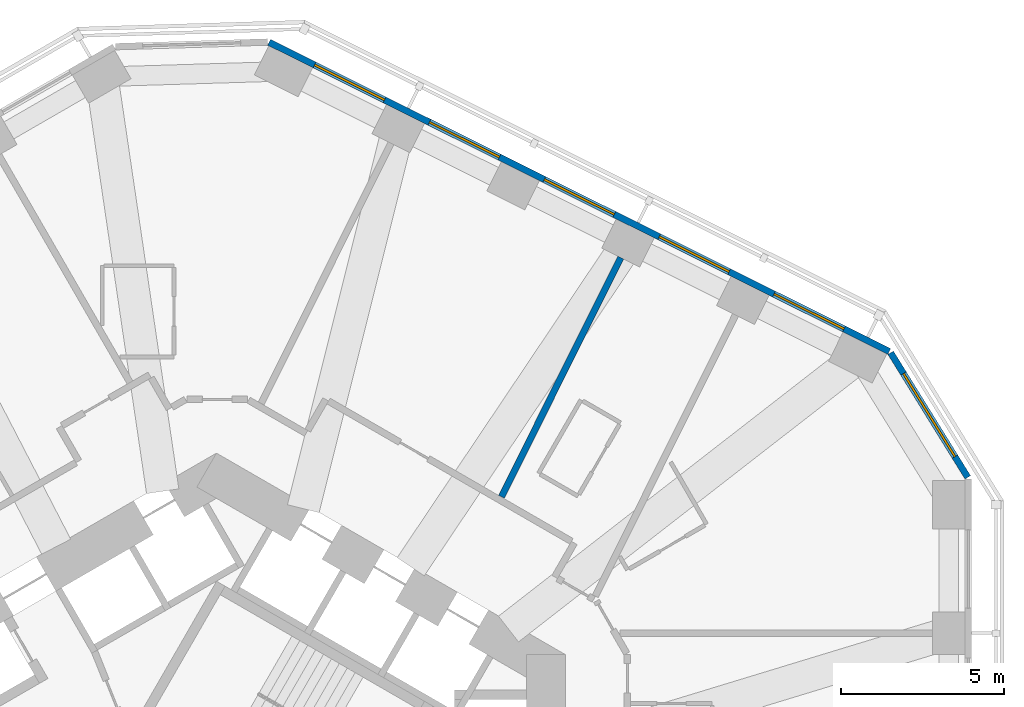
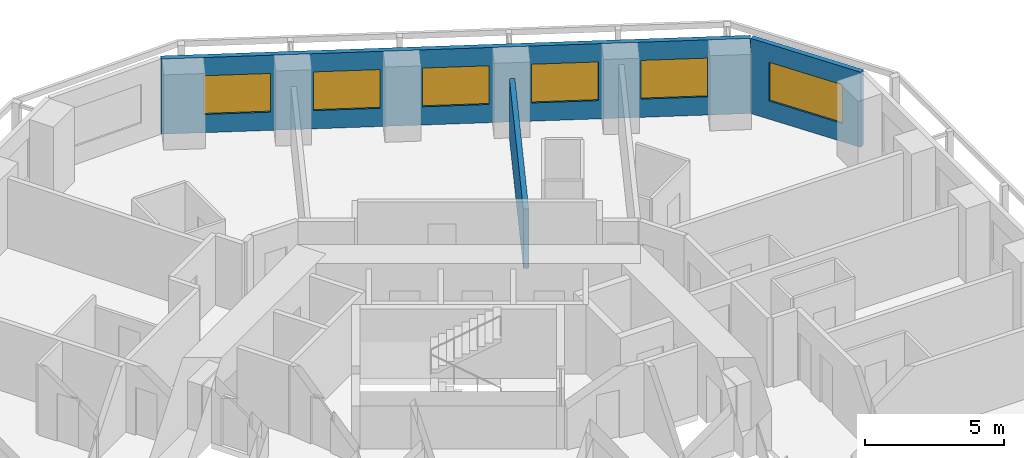
# One storey, part 9 of 12: 6 windows, 3 walls, 6 openings.
"""IFC4 building model written with IfcOpenShell, lengths in metres."""

import ifcopenshell
import ifcopenshell.guid

model = None  # the IFC model being written
_history = None  # IfcOwnerHistory: only IFC2X3 demands one
_inside = {}  # id of a spatial element -> (the spatial element, [elements in it])
_under = {}  # id of a project, library or spatial element -> (it, [spatial elements below it])
_declared = {}  # id of a project -> (the project, [libraries it declares])
_typed = {}  # id of a type object -> (the type object, [elements of that type])
_made_of = {}  # id of a material, layer set ... -> (it, [elements and type objects made of it])


def new_model(schema):
    """Start an empty IFC model of exactly this schema.

    Asked for "IFC4X3", IfcOpenShell would pick the latest addendum, in which some entities
    have other attributes; the version numbers below select the first issue.
    IFC2X3 requires an IfcOwnerHistory on every rooted entity: one is made here for all.
    """
    global model, _history
    if schema == "IFC4X3":
        model = ifcopenshell.file(schema_version=(4, 3, 0, 0))
    else:
        model = ifcopenshell.file(schema=schema)
    _inside.clear()
    _under.clear()
    _declared.clear()
    _typed.clear()
    _made_of.clear()
    _history = None
    if model.schema == "IFC2X3":
        org = make("IfcOrganization", Name="unknown")
        user = make(
            "IfcPersonAndOrganization",
            ThePerson=make("IfcPerson", FamilyName="unknown"),
            TheOrganization=org,
        )
        app = make(
            "IfcApplication",
            ApplicationDeveloper=org,
            Version="unknown",
            ApplicationFullName="unknown",
            ApplicationIdentifier="unknown",
        )
        _history = make(
            "IfcOwnerHistory",
            OwningUser=user,
            OwningApplication=app,
            ChangeAction="ADDED",
            CreationDate=0,
        )
    return model


def make(cls, **values):
    """One entity of the class cls with the attributes given. An attribute that is None is left unset."""
    return model.create_entity(
        cls, **{name: value for name, value in values.items() if value is not None}
    )


def rooted(cls, **values):
    """An entity with a GlobalId (a new one), such as an element, a storey or a relation."""
    return make(cls, GlobalId=ifcopenshell.guid.new(), OwnerHistory=_history, **values)


def si_unit(unit_type, name, prefix=None):
    """IfcSIUnit, for example si_unit("LENGTHUNIT", "METRE", prefix="MILLI")."""
    return make("IfcSIUnit", UnitType=unit_type, Prefix=prefix, Name=name)


def assignment(units):
    """IfcUnitAssignment: the units of a project."""
    return None if units is None else make("IfcUnitAssignment", Units=units)


def point(xyz):
    """IfcCartesianPoint."""
    return None if xyz is None else make("IfcCartesianPoint", Coordinates=xyz)


def direction(xyz):
    """IfcDirection."""
    return None if xyz is None else make("IfcDirection", DirectionRatios=xyz)


def frame(location, z_axis=None, x_axis=None):
    """IfcAxis2Placement3D, a coordinate frame: its origin and axes. An axis left out is left unset."""
    return make(
        "IfcAxis2Placement3D",
        Location=point(location),
        Axis=direction(z_axis),
        RefDirection=direction(x_axis),
    )


def frame_2d(location, x_axis=None):
    """IfcAxis2Placement2D, a coordinate frame in the plane: its origin and x axis."""
    return make(
        "IfcAxis2Placement2D", Location=point(location), RefDirection=direction(x_axis)
    )


def origin():
    """The frame at (0, 0, 0) with its axes left unset."""
    return frame((0.0, 0.0, 0.0))


def place(relative_to, where):
    """IfcLocalPlacement: puts the frame where relative to a parent placement (None: the world)."""
    return make(
        "IfcLocalPlacement", PlacementRelTo=relative_to, RelativePlacement=where
    )


def context(
    kind, dimensions, precision=None, world=None, true_north=None, identifier=None
):
    """IfcGeometricRepresentationContext, for example the 3D "Model" context."""
    return make(
        "IfcGeometricRepresentationContext",
        ContextIdentifier=identifier,
        ContextType=kind,
        CoordinateSpaceDimension=dimensions,
        Precision=precision,
        WorldCoordinateSystem=world,
        TrueNorth=true_north,
    )


def subcontext(parent, identifier, kind, view, scale=None):
    """IfcGeometricRepresentationSubContext, for example "Body" below "Model"."""
    return make(
        "IfcGeometricRepresentationSubContext",
        ContextIdentifier=identifier,
        ContextType=kind,
        ParentContext=parent,
        TargetScale=scale,
        TargetView=view,
    )


def project(units=None, contexts=None):
    """IfcProject with its units and contexts."""
    return rooted(
        "IfcProject",
        Name="project",
        RepresentationContexts=contexts,
        UnitsInContext=assignment(units),
    )


def spatial(cls, under=None, at=None, **own):
    """A site, building, storey or space (cls), placed at a placement, below another one or the project."""
    s = rooted(cls, ObjectPlacement=at, **own)
    if under is not None:
        _under.setdefault(under.id(), (under, []))[1].append(s)
    return s


def profile(cls, at=None, kind="AREA", **sizes):
    """A parametric profile (cls). Its sizes go by their IFC names, for example OverallWidth=200.0."""
    return make(cls, ProfileType=kind, Position=at, **sizes)


def rectangle(**sizes):
    """IfcRectangleProfileDef."""
    return profile("IfcRectangleProfileDef", **sizes)


def extrude(swept, where, along, depth):
    """IfcExtrudedAreaSolid: the profile swept, set in the frame where, extruded along a direction by depth."""
    return make(
        "IfcExtrudedAreaSolid",
        SweptArea=swept,
        Position=where,
        ExtrudedDirection=direction(along),
        Depth=depth,
    )


def shape(context_of_items, identifier, shape_type, items):
    """IfcShapeRepresentation: the items that make up one representation, for example the "Body"."""
    return make(
        "IfcShapeRepresentation",
        ContextOfItems=context_of_items,
        RepresentationIdentifier=identifier,
        RepresentationType=shape_type,
        Items=items,
    )


def material(Name=None, Category=None):
    """IfcMaterial."""
    return make("IfcMaterial", Name=Name, Category=Category)


def layer(
    of_material, thickness, ventilated=None, Name=None, Category=None, Priority=None
):
    """IfcMaterialLayer: one layer of a wall or slab, of a material (None: an air gap)."""
    return make(
        "IfcMaterialLayer",
        Material=of_material,
        LayerThickness=thickness,
        IsVentilated=ventilated,
        Name=Name,
        Category=Category,
        Priority=Priority,
    )


def layer_set(layers, Name=None):
    """IfcMaterialLayerSet."""
    return make("IfcMaterialLayerSet", MaterialLayers=layers, LayerSetName=Name)


def made_of(thing, what):
    """Note that an element or type object is made of a material, layer set ...; save() writes the relation."""
    if what is not None:
        _made_of.setdefault(what.id(), (what, []))[1].append(thing)
    return thing


def type_object(cls, material=None, **own):
    """A type object (cls), such as IfcWallType, which elements share."""
    return made_of(rooted(cls, **own), material)


def element(
    cls,
    number,
    at=None,
    inside=None,
    cuts=None,
    type_object=None,
    material=None,
    context=None,
    identifier="Body",
    shape_type=None,
    held_by="IfcProductDefinitionShape",
    body=None,
    shapes=None,
    **own,
):
    """One element of the class cls, such as IfcWall. Its Tag is "e" and its number.

    at: its placement. inside: the storey or other place that contains it. cuts: it is an
    opening in that element (IfcRelVoidsElement). A single representation is given by context,
    identifier, shape_type and body (its items); several are given by shapes. held_by: the class
    of the entity that holds the representations. save() writes the other relations.
    """
    e = rooted(cls, Tag="e%d" % number, ObjectPlacement=at, **own)
    if body is not None:
        shapes = [shape(context, identifier, shape_type, body)]
    if shapes is not None:
        e.Representation = make(held_by, Representations=shapes)
    if inside is not None:
        _inside.setdefault(inside.id(), (inside, []))[1].append(e)
    if cuts is not None:
        rooted(
            "IfcRelVoidsElement", RelatingBuildingElement=cuts, RelatedOpeningElement=e
        )
    if type_object is not None:
        _typed.setdefault(type_object.id(), (type_object, []))[1].append(e)
    return made_of(e, material)


def fill(opening, filler):
    """IfcRelFillsElement: the door or window that sits in an opening."""
    return rooted(
        "IfcRelFillsElement",
        RelatingOpeningElement=opening,
        RelatedBuildingElement=filler,
    )


def aggregate(whole, parts):
    """IfcRelAggregates: a whole, such as a stair, and the parts it consists of."""
    return rooted("IfcRelAggregates", RelatingObject=whole, RelatedObjects=parts)


def save(model, path):
    """Write the relations noted so far, then the file.

    IfcRelAggregates (storeys below a building ...), IfcRelContainedInSpatialStructure (elements
    in a storey), IfcRelDefinesByType, IfcRelAssociatesMaterial and IfcRelDeclares: one each for
    every whole, place, type object, material and project.
    """
    for whole, parts in _under.values():
        aggregate(whole, parts)
    for where, things in _inside.values():
        rooted(
            "IfcRelContainedInSpatialStructure",
            RelatedElements=things,
            RelatingStructure=where,
        )
    for kind, things in _typed.values():
        rooted("IfcRelDefinesByType", RelatedObjects=things, RelatingType=kind)
    for what, things in _made_of.values():
        rooted("IfcRelAssociatesMaterial", RelatedObjects=things, RelatingMaterial=what)
    for by, libraries in _declared.values():
        rooted("IfcRelDeclares", RelatingContext=by, RelatedDefinitions=libraries)
    model.write(path)


model = new_model("IFC4")

# Units and contexts
model_context = context("Model", 3, precision=1e-05, world=origin(), true_north=direction((0.0, 1.0)))
body_context = subcontext(model_context, "Body", "Model", "MODEL_VIEW")
ifc_project = project(units=[si_unit("LENGTHUNIT", "METRE"), si_unit("AREAUNIT", "SQUARE_METRE"), si_unit("VOLUMEUNIT", "CUBIC_METRE"), si_unit("PLANEANGLEUNIT", "RADIAN"), si_unit("MASSUNIT", "GRAM", prefix="KILO")], contexts=[model_context])

# Site, building, storey
site_placement = place(None, origin())
site = spatial("IfcSite", under=ifc_project, at=site_placement, CompositionType="ELEMENT")
building_placement = place(site_placement, origin())
building = spatial("IfcBuilding", under=site, at=building_placement, Name="Vanh Sen Convention Tower", CompositionType="ELEMENT")
storey_placement = place(building_placement, frame((0.0, 0.0, 50.60009765625)))
storey = spatial("IfcBuildingStorey", under=building, at=storey_placement, Name="L09", CompositionType="ELEMENT", Elevation=50.60009765625)

# Wall, opening, window
ifc_material_1 = material(Name="Insulated lightweight infill wall")
ifc_layer_1 = layer(ifc_material_1, 0.199951171875)
ifc_layer_set_1 = layer_set([ifc_layer_1], Name="Insulated lightweight infill wall")
wall_type_1 = type_object("IfcWallType", Name="External wall 200", PredefinedType="STANDARD", material=ifc_layer_set_1)
wall_1_placement = place(storey_placement, frame((23.034912109375, 11.612060546875, 0.0), z_axis=(0.0, 0.0, 1.0), x_axis=(-0.526160091227, 0.850385535155, 0.0)))
wall_1 = element("IfcWall", 1, at=wall_1_placement, inside=storey, type_object=wall_type_1, Name="External wall CH1 L09", PredefinedType="STANDARD", context=body_context, shape_type="SweptSolid", body=[
    extrude(rectangle(XDim=4.493896484375, YDim=0.199951171875, at=frame_2d((2.2470703125, 0.0))), origin(), (0.0, 0.0, 1.0), 3.2998046875),
])
opening_1_placement = place(wall_1_placement, frame((0.746826171875, 0.0, 0.800048828125)))
opening_1 = element("IfcOpeningElement", 2, at=opening_1_placement, cuts=wall_1, Name="Opening WH2-CH11", PredefinedType="OPENING", context=body_context, shape_type="SweptSolid", body=[
    extrude(rectangle(XDim=3.0, YDim=1.699951171875, at=frame_2d((1.5, 0.85009765625))), frame((0.0, 0.10986328125, 0.0), z_axis=(0.0, -1.0, 0.0), x_axis=(1.0, 0.0, 0.0)), (0.0, 0.0, 1.0), 0.219970703125),
])
ifc_material_2 = material(Name="Aluminium frame with clear low-emissivity glass", Category="aluminium")
window_type_1 = type_object("IfcWindowType", Name="Hotel window 3000 x 1700", PartitioningType="SINGLE_PANEL", PredefinedType="WINDOW", material=ifc_material_2)
window_1_placement = place(opening_1_placement, origin())
window_1 = element("IfcWindow", 3, at=window_1_placement, inside=storey, type_object=window_type_1, Name="Window WH2-CH11", OverallHeight=1.699951171875, OverallWidth=3.0, PartitioningType="SINGLE_PANEL", PredefinedType="WINDOW", context=body_context, shape_type="SweptSolid", body=[
    extrude(rectangle(XDim=3.0, YDim=1.699951171875, at=frame_2d((1.5, 0.85009765625))), frame((0.0, 0.030029296875, 0.0), z_axis=(0.0, -1.0, 0.0), x_axis=(1.0, 0.0, 0.0)), (0.0, 0.0, 1.0), 0.06005859375),
])
fill(opening_1, window_1)

# Wall, openings, windows
wall_2_placement = place(storey_placement, frame((20.6298828125, 15.470458984375, 0.0), z_axis=(0.0, 0.0, 1.0), x_axis=(-0.894934518609, 0.446197498203, 0.0)))
wall_2 = element("IfcWall", 4, at=wall_2_placement, inside=storey, type_object=wall_type_1, Name="External wall NE L09", PredefinedType="STANDARD", context=body_context, shape_type="SweptSolid", body=[
    extrude(rectangle(XDim=21.24609375, YDim=0.199951171875, at=frame_2d((10.623046875, 0.0))), origin(), (0.0, 0.0, 1.0), 3.2998046875),
])
opening_2_placement = place(wall_2_placement, frame((1.552978515625, 0.0, 0.800048828125)))
opening_2 = element("IfcOpeningElement", 5, at=opening_2_placement, cuts=wall_2, Name="Opening WH1-NE1", PredefinedType="OPENING", context=body_context, shape_type="SweptSolid", body=[
    extrude(rectangle(XDim=2.39990234375, YDim=1.699951171875, at=frame_2d((1.199951171875, 0.85009765625))), frame((0.0, 0.10986328125, 0.0), z_axis=(0.0, -1.0, 0.0), x_axis=(1.0, 0.0, 0.0)), (0.0, 0.0, 1.0), 0.219970703125),
])
opening_3_placement = place(wall_2_placement, frame((5.48779296875, 0.0, 0.800048828125)))
opening_3 = element("IfcOpeningElement", 6, at=opening_3_placement, cuts=wall_2, Name="Opening WH1-NE2", PredefinedType="OPENING", context=body_context, shape_type="SweptSolid", body=[
    extrude(rectangle(XDim=2.39990234375, YDim=1.699951171875, at=frame_2d((1.199951171875, 0.85009765625))), frame((0.0, 0.10986328125, 0.0), z_axis=(0.0, -1.0, 0.0), x_axis=(1.0, 0.0, 0.0)), (0.0, 0.0, 1.0), 0.219970703125),
])
opening_4_placement = place(wall_2_placement, frame((9.42236328125, 0.0, 0.800048828125)))
opening_4 = element("IfcOpeningElement", 7, at=opening_4_placement, cuts=wall_2, Name="Opening WH1-NE3", PredefinedType="OPENING", context=body_context, shape_type="SweptSolid", body=[
    extrude(rectangle(XDim=2.39990234375, YDim=1.699951171875, at=frame_2d((1.199951171875, 0.85009765625))), frame((0.0, 0.10986328125, 0.0), z_axis=(0.0, -1.0, 0.0), x_axis=(1.0, 0.0, 0.0)), (0.0, 0.0, 1.0), 0.219970703125),
])
opening_5_placement = place(wall_2_placement, frame((13.35693359375, 0.0, 0.800048828125)))
opening_5 = element("IfcOpeningElement", 8, at=opening_5_placement, cuts=wall_2, Name="Opening WH1-NE4", PredefinedType="OPENING", context=body_context, shape_type="SweptSolid", body=[
    extrude(rectangle(XDim=2.39990234375, YDim=1.699951171875, at=frame_2d((1.199951171875, 0.85009765625))), frame((0.0, 0.10986328125, 0.0), z_axis=(0.0, -1.0, 0.0), x_axis=(1.0, 0.0, 0.0)), (0.0, 0.0, 1.0), 0.219970703125),
])
opening_6_placement = place(wall_2_placement, frame((17.29150390625, 0.0, 0.800048828125)))
opening_6 = element("IfcOpeningElement", 9, at=opening_6_placement, cuts=wall_2, Name="Opening WH1-NE5", PredefinedType="OPENING", context=body_context, shape_type="SweptSolid", body=[
    extrude(rectangle(XDim=2.39990234375, YDim=1.699951171875, at=frame_2d((1.199951171875, 0.85009765625))), frame((0.0, 0.10986328125, 0.0), z_axis=(0.0, -1.0, 0.0), x_axis=(1.0, 0.0, 0.0)), (0.0, 0.0, 1.0), 0.219970703125),
])
window_type_2 = type_object("IfcWindowType", Name="Hotel window 2400 x 1700", PartitioningType="SINGLE_PANEL", PredefinedType="WINDOW", material=ifc_material_2)
window_2_placement = place(opening_2_placement, origin())
window_2 = element("IfcWindow", 10, at=window_2_placement, inside=storey, type_object=window_type_2, Name="Window WH1-NE1", OverallHeight=1.699951171875, OverallWidth=2.39990234375, PartitioningType="SINGLE_PANEL", PredefinedType="WINDOW", context=body_context, shape_type="SweptSolid", body=[
    extrude(rectangle(XDim=2.39990234375, YDim=1.699951171875, at=frame_2d((1.199951171875, 0.85009765625))), frame((0.0, 0.030029296875, 0.0), z_axis=(0.0, -1.0, 0.0), x_axis=(1.0, 0.0, 0.0)), (0.0, 0.0, 1.0), 0.06005859375),
])
fill(opening_2, window_2)
window_3_placement = place(opening_3_placement, origin())
window_3 = element("IfcWindow", 11, at=window_3_placement, inside=storey, type_object=window_type_2, Name="Window WH1-NE2", OverallHeight=1.699951171875, OverallWidth=2.39990234375, PartitioningType="SINGLE_PANEL", PredefinedType="WINDOW", context=body_context, shape_type="SweptSolid", body=[
    extrude(rectangle(XDim=2.39990234375, YDim=1.699951171875, at=frame_2d((1.199951171875, 0.85009765625))), frame((0.0, 0.030029296875, 0.0), z_axis=(0.0, -1.0, 0.0), x_axis=(1.0, 0.0, 0.0)), (0.0, 0.0, 1.0), 0.06005859375),
])
fill(opening_3, window_3)
window_4_placement = place(opening_4_placement, origin())
window_4 = element("IfcWindow", 12, at=window_4_placement, inside=storey, type_object=window_type_2, Name="Window WH1-NE3", OverallHeight=1.699951171875, OverallWidth=2.39990234375, PartitioningType="SINGLE_PANEL", PredefinedType="WINDOW", context=body_context, shape_type="SweptSolid", body=[
    extrude(rectangle(XDim=2.39990234375, YDim=1.699951171875, at=frame_2d((1.199951171875, 0.85009765625))), frame((0.0, 0.030029296875, 0.0), z_axis=(0.0, -1.0, 0.0), x_axis=(1.0, 0.0, 0.0)), (0.0, 0.0, 1.0), 0.06005859375),
])
fill(opening_4, window_4)
window_5_placement = place(opening_5_placement, origin())
window_5 = element("IfcWindow", 13, at=window_5_placement, inside=storey, type_object=window_type_2, Name="Window WH1-NE4", OverallHeight=1.699951171875, OverallWidth=2.39990234375, PartitioningType="SINGLE_PANEL", PredefinedType="WINDOW", context=body_context, shape_type="SweptSolid", body=[
    extrude(rectangle(XDim=2.39990234375, YDim=1.699951171875, at=frame_2d((1.199951171875, 0.85009765625))), frame((0.0, 0.030029296875, 0.0), z_axis=(0.0, -1.0, 0.0), x_axis=(1.0, 0.0, 0.0)), (0.0, 0.0, 1.0), 0.06005859375),
])
fill(opening_5, window_5)
window_6_placement = place(opening_6_placement, origin())
window_6 = element("IfcWindow", 14, at=window_6_placement, inside=storey, type_object=window_type_2, Name="Window WH1-NE5", OverallHeight=1.699951171875, OverallWidth=2.39990234375, PartitioningType="SINGLE_PANEL", PredefinedType="WINDOW", context=body_context, shape_type="SweptSolid", body=[
    extrude(rectangle(XDim=2.39990234375, YDim=1.699951171875, at=frame_2d((1.199951171875, 0.85009765625))), frame((0.0, 0.030029296875, 0.0), z_axis=(0.0, -1.0, 0.0), x_axis=(1.0, 0.0, 0.0)), (0.0, 0.0, 1.0), 0.06005859375),
])
fill(opening_6, window_6)

# Wall
ifc_material_3 = material(Name="Gypsum board on steel studs with mineral wool", Category="steel")
ifc_layer_2 = layer(ifc_material_3, 0.199951171875)
ifc_layer_set_2 = layer_set([ifc_layer_2], Name="Gypsum board on steel studs with mineral wool")
wall_type_2 = type_object("IfcWallType", Name="Hotel party wall 200", PredefinedType="PARTITIONING", material=ifc_layer_set_2)
wall_3_placement = place(storey_placement, frame((12.393310546875, 18.347900390625, 0.0), z_axis=(0.0, 0.0, 1.0), x_axis=(-0.446176022699, -0.894945225569, 0.0)))
element("IfcWall", 15, at=wall_3_placement, inside=storey, type_object=wall_type_2, Name="Hotel party wall 200", PredefinedType="PARTITIONING", context=body_context, shape_type="SweptSolid", body=[
    extrude(rectangle(XDim=8.19091796875, YDim=0.199951171875, at=frame_2d((4.095458984375, 0.0))), origin(), (0.0, 0.0, 1.0), 2.599853515625),
])

save(model, "model.ifc")
